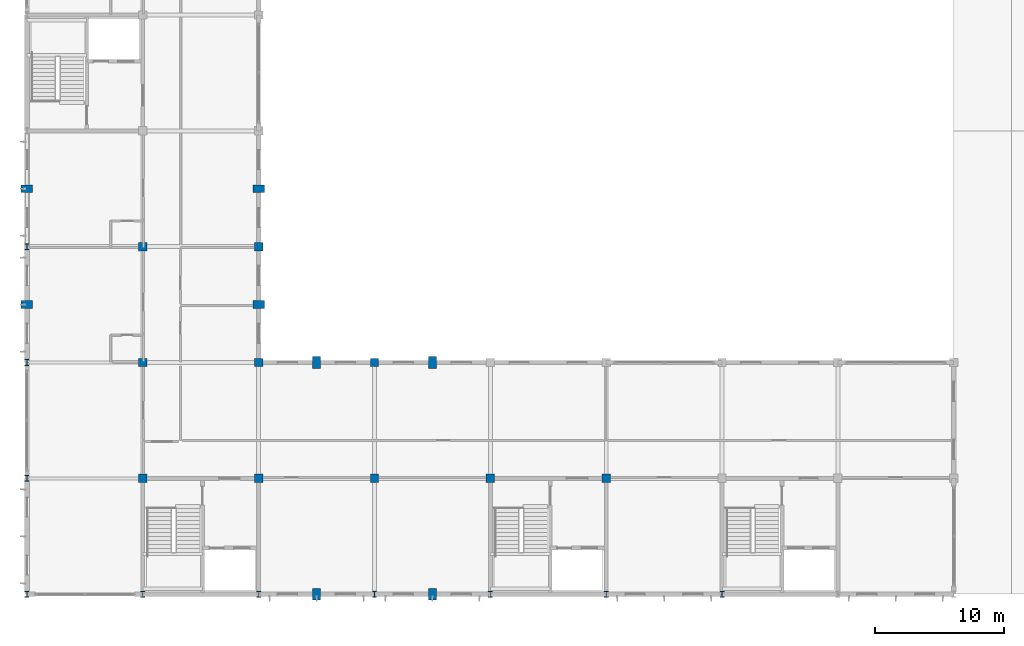
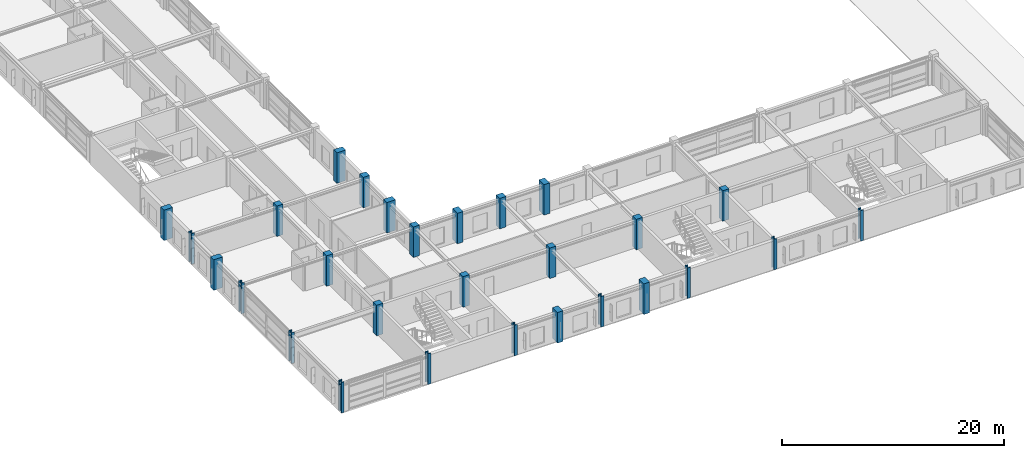
# One storey, part 1 of 91: 28 columns.
"""IFC4 building model written with IfcOpenShell, lengths in metres."""

from ifc_helpers import new_model, si_unit, direction, frame, origin, origin_2d, place, context, subcontext, project, spatial, rectangle, i_section, extrude, material, material_profile, profile_set, type_object, element, save


model = new_model("IFC4")

# Units and contexts
model_context = context("Model", 3, precision=1e-05, world=origin(), true_north=direction((0.0, 1.0)))
body_context = subcontext(model_context, "Body", "Model", "MODEL_VIEW")
ifc_project = project(units=[si_unit("LENGTHUNIT", "METRE"), si_unit("AREAUNIT", "SQUARE_METRE"), si_unit("VOLUMEUNIT", "CUBIC_METRE"), si_unit("PLANEANGLEUNIT", "RADIAN"), si_unit("MASSUNIT", "GRAM", prefix="KILO")], contexts=[model_context])

# Site, building, storey
site_placement = place(None, origin())
site = spatial("IfcSite", under=ifc_project, at=site_placement, CompositionType="ELEMENT")
building_placement = place(site_placement, origin())
building = spatial("IfcBuilding", under=site, at=building_placement, Name="Palais des Congres Ocreval", CompositionType="ELEMENT")
storey_placement = place(building_placement, frame((0.0, 0.0, 8.159912109375)))
storey = spatial("IfcBuildingStorey", under=building, at=storey_placement, Name="L02", CompositionType="ELEMENT", Elevation=8.159912109375)

# Columns
ifc_material_1 = material(Name="Steel S355", Category="steel")
ifc_material_profile_1 = material_profile(ifc_material_1, i_section(OverallWidth=0.306884765625, OverallDepth=0.47802734375, WebThickness=0.02099609375, FlangeThickness=0.0400390625, at=origin_2d()), Name="HEM 450")
ifc_profile_set_1 = profile_set([ifc_material_profile_1], Name="Steel S355")
column_type_1 = type_object("IfcColumnType", Name="Column HEM 450 Steel S355", PredefinedType="COLUMN", material=ifc_profile_set_1)
for number, where, z_axis, x_axis, name in (
    (1, (0.0, 0.0, 0.0), (0.0, 0.0, 1.0), (1.0, 0.0, 0.0), "Column C06 L02"),
    (2, (0.0, 9.0, 0.0), (0.0, 0.0, 1.0), (1.0, 0.0, 0.0), "Column C06 L02"),
    (3, (0.0, 18.0, 0.0), (0.0, 0.0, 1.0), (1.0, 0.0, 0.0), "Column C06 L02"),
    (4, (0.0, 27.0, 0.0), (0.0, 0.0, 1.0), (1.0, 0.0, 0.0), "Column C06 L02"),
    (5, (9.0, 0.0, 0.0), (0.0, 0.0, 1.0), (1.0, 0.0, 0.0), "Column C06 L02"),
    (6, (18.0, 0.0, 0.0), (0.0, 0.0, 1.0), (1.0, 0.0, 0.0), "Column C06 L02"),
    (7, (27.0, 0.0, 0.0), (0.0, 0.0, 1.0), (1.0, 0.0, 0.0), "Column C06 L02"),
    (8, (36.0, 0.0, 0.0), (0.0, 0.0, 1.0), (1.0, 0.0, 0.0), "Column C06 L02"),
    (9, (45.0, 0.0, 0.0), (0.0, 0.0, 1.0), (1.0, 0.0, 0.0), "Column C06 L02"),
    (10, (54.0, 0.0, 0.0), (0.0, 0.0, 1.0), (1.0, 0.0, 0.0), "Column C06 L02"),
):
    element("IfcColumn", number, at=place(storey_placement, frame(where, z_axis=z_axis, x_axis=x_axis)), inside=storey, type_object=column_type_1, Name=name, PredefinedType="COLUMN", context=body_context, shape_type="SweptSolid", body=[
        extrude(i_section(OverallWidth=0.306884765625, OverallDepth=0.47802734375, WebThickness=0.02099609375, FlangeThickness=0.0400390625, at=origin_2d()), origin(), (0.0, 0.0, 1.0), 3.360107421875),
    ])
ifc_material_2 = material(Name="Concrete C40/50", Category="concrete")
ifc_material_profile_2 = material_profile(ifc_material_2, rectangle(XDim=0.64990234375, YDim=0.64990234375, at=origin_2d()), Name="RC 650x650")
ifc_profile_set_2 = profile_set([ifc_material_profile_2], Name="Concrete C40/50")
column_type_2 = type_object("IfcColumnType", Name="Column RC 650x650 Concrete C40/50", PredefinedType="COLUMN", material=ifc_profile_set_2)
for number, where, z_axis, x_axis, name in (
    (11, (9.0, 9.0, 0.0), (0.0, 0.0, 1.0), (1.0, 0.0, 0.0), "Column C23 L02"),
    (12, (9.0, 18.0, 0.0), (0.0, 0.0, 1.0), (1.0, 0.0, 0.0), "Column C23 L02"),
    (13, (9.0, 27.0, 0.0), (0.0, 0.0, 1.0), (1.0, 0.0, 0.0), "Column C23 L02"),
    (14, (18.0, 9.0, 0.0), (0.0, 0.0, 1.0), (1.0, 0.0, 0.0), "Column C23 L02"),
    (15, (18.0, 18.0, 0.0), (0.0, 0.0, 1.0), (1.0, 0.0, 0.0), "Column C23 L02"),
    (16, (18.0, 27.0, 0.0), (0.0, 0.0, 1.0), (1.0, 0.0, 0.0), "Column C23 L02"),
    (17, (27.0, 9.0, 0.0), (0.0, 0.0, 1.0), (1.0, 0.0, 0.0), "Column C23 L02"),
    (18, (27.0, 18.0, 0.0), (0.0, 0.0, 1.0), (1.0, 0.0, 0.0), "Column C23 L02"),
    (19, (36.0, 9.0, 0.0), (0.0, 0.0, 1.0), (1.0, 0.0, 0.0), "Column C23 L02"),
    (20, (45.0, 9.0, 0.0), (0.0, 0.0, 1.0), (1.0, 0.0, 0.0), "Column C23 L02"),
):
    element("IfcColumn", number, at=place(storey_placement, frame(where, z_axis=z_axis, x_axis=x_axis)), inside=storey, type_object=column_type_2, Name=name, PredefinedType="COLUMN", context=body_context, shape_type="SweptSolid", body=[
        extrude(rectangle(XDim=0.64990234375, YDim=0.64990234375, at=origin_2d()), origin(), (0.0, 0.0, 1.0), 3.360107421875),
    ])
ifc_material_profile_3 = material_profile(ifc_material_2, rectangle(XDim=0.60009765625, YDim=0.89990234375, at=origin_2d()), Name="RC 600x900")
ifc_profile_set_3 = profile_set([ifc_material_profile_3], Name="Concrete C40/50")
column_type_3 = type_object("IfcColumnType", Name="Pilaster RC 600x900 Concrete C40/50", PredefinedType="PILASTER", material=ifc_profile_set_3)
for number, where, z_axis, x_axis, name in (
    (21, (22.5, 0.0, 0.0), (0.0, 0.0, 1.0), (1.0, 0.0, 0.0), "Perimeter Pilaster PL01 L02"),
    (22, (31.5, 0.0, 0.0), (0.0, 0.0, 1.0), (1.0, 0.0, 0.0), "Perimeter Pilaster PL01 L02"),
    (23, (22.5, 18.0, 0.0), (0.0, 0.0, 1.0), (1.0, 0.0, 0.0), "Perimeter Pilaster PL01 L02"),
    (24, (31.5, 18.0, 0.0), (0.0, 0.0, 1.0), (1.0, 0.0, 0.0), "Perimeter Pilaster PL01 L02"),
    (25, (0.0, 22.5, 0.0), (0.0, 0.0, 1.0), (0.0, 1.0, 0.0), "Perimeter Pilaster PL01 L02"),
    (26, (0.0, 31.5, 0.0), (0.0, 0.0, 1.0), (0.0, 1.0, 0.0), "Perimeter Pilaster PL01 L02"),
    (27, (18.0, 22.5, 0.0), (0.0, 0.0, 1.0), (0.0, 1.0, 0.0), "Perimeter Pilaster PL01 L02"),
    (28, (18.0, 31.5, 0.0), (0.0, 0.0, 1.0), (0.0, 1.0, 0.0), "Perimeter Pilaster PL01 L02"),
):
    element("IfcColumn", number, at=place(storey_placement, frame(where, z_axis=z_axis, x_axis=x_axis)), inside=storey, type_object=column_type_3, Name=name, PredefinedType="PILASTER", context=body_context, shape_type="SweptSolid", body=[
        extrude(rectangle(XDim=0.60009765625, YDim=0.89990234375, at=origin_2d()), origin(), (0.0, 0.0, 1.0), 3.360107421875),
    ])

save(model, "model.ifc")
